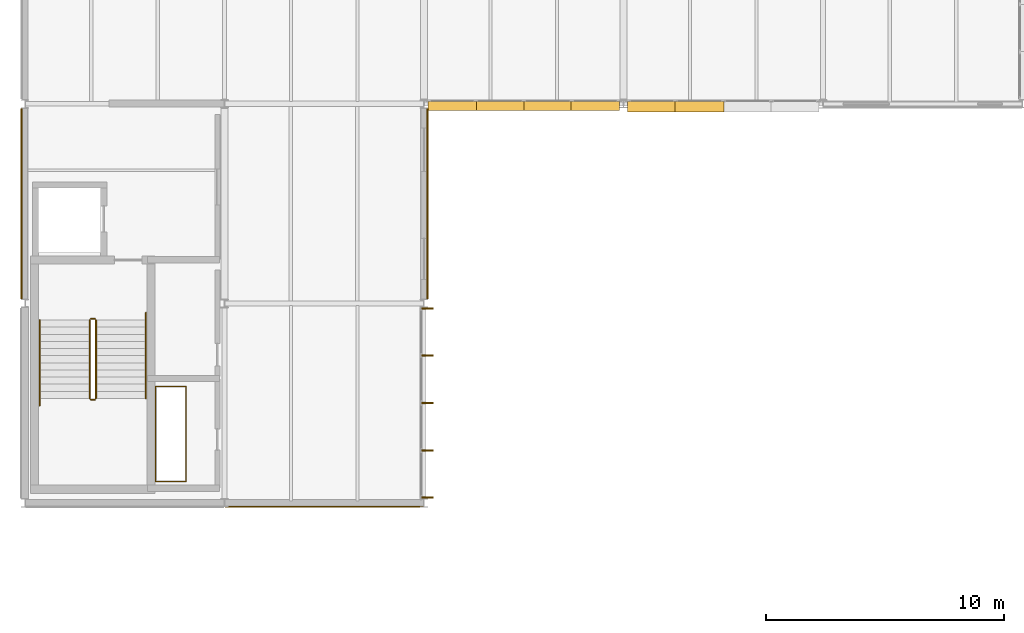
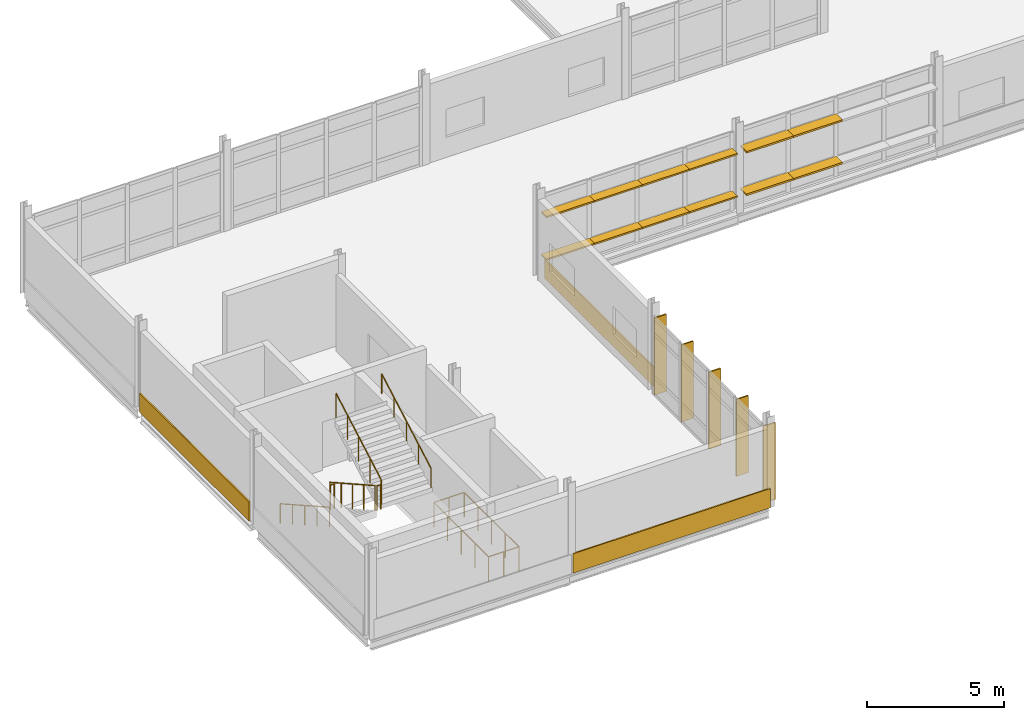
# One storey, part 120 of 131: 17 shading devices, 7 railings, 3 coverings.
"""IFC4 building model written with IfcOpenShell, lengths in metres."""

from ifc_helpers import new_model, si_unit, direction, frame, origin, origin_2d, place, context, subcontext, project, spatial, rectangle, circle, extrude, material, layer, layer_set, type_object, element, save


model = new_model("IFC4")

# Units and contexts
model_context = context("Model", 3, precision=1e-05, world=origin(), true_north=direction((0.0, 1.0)))
body_context = subcontext(model_context, "Body", "Model", "MODEL_VIEW")
ifc_project = project(units=[si_unit("LENGTHUNIT", "METRE"), si_unit("AREAUNIT", "SQUARE_METRE"), si_unit("VOLUMEUNIT", "CUBIC_METRE"), si_unit("PLANEANGLEUNIT", "RADIAN"), si_unit("MASSUNIT", "GRAM", prefix="KILO")], contexts=[model_context])

# Site, building, storey
site_placement = place(None, origin())
site = spatial("IfcSite", under=ifc_project, at=site_placement, CompositionType="ELEMENT")
building_placement = place(site_placement, origin())
building = spatial("IfcBuilding", under=site, at=building_placement, Name="Mersafa Astral City Hall", CompositionType="ELEMENT")
storey_placement = place(building_placement, frame((0.0, 0.0, 13.949951171875)))
storey = spatial("IfcBuildingStorey", under=building, at=storey_placement, Name="L03", CompositionType="ELEMENT", Elevation=13.949951171875)

# Coverings
ifc_material_1 = material(Name="Cairo Mokattam buff limestone cladding", Category="masonry")
ifc_layer = layer(ifc_material_1, 0.06005859375, Name="Cairo Mokattam buff limestone cladding")
ifc_layer_set = layer_set([ifc_layer], Name="Cairo Mokattam buff limestone cladding — ENV-COV-LIMESTONE-60")
covering_type = type_object("IfcCoveringType", Name="ENV-COV-LIMESTONE-60", PredefinedType="CLADDING", material=ifc_layer_set)
covering_1_placement = place(storey_placement, frame((8.260498046875, 88.195068359375, 0.0), z_axis=(0.0, 0.0, 1.0), x_axis=(0.0, -1.0, 0.0)))
element("IfcCovering", 1, at=covering_1_placement, inside=storey, type_object=covering_type, Name="L03 Cairo buff limestone rainscreen cladding 255", PredefinedType="CLADDING", context=body_context, shape_type="SweptSolid", body=[
    extrude(rectangle(XDim=7.998046875, YDim=0.06005859375, at=origin_2d()), origin(), (0.0, 0.0, 1.0), 0.860107421875),
])
covering_2_placement = place(storey_placement, frame((21.0, 75.43798828125, 0.0), z_axis=(0.0, 0.0, 1.0), x_axis=(1.0, 0.0, 0.0)))
element("IfcCovering", 2, at=covering_2_placement, inside=storey, type_object=covering_type, Name="L03 Cairo buff limestone rainscreen cladding 258", PredefinedType="CLADDING", context=body_context, shape_type="SweptSolid", body=[
    extrude(rectangle(XDim=8.323974609375, YDim=0.06005859375, at=origin_2d()), origin(), (0.0, 0.0, 1.0), 0.860107421875),
])
covering_3_placement = place(storey_placement, frame((25.3544921875, 88.195068359375, 0.0), z_axis=(0.0, 0.0, 1.0), x_axis=(0.0, 1.0, 0.0)))
element("IfcCovering", 3, at=covering_3_placement, inside=storey, type_object=covering_type, Name="L03 Cairo buff limestone rainscreen cladding 259", PredefinedType="CLADDING", context=body_context, shape_type="SweptSolid", body=[
    extrude(rectangle(XDim=7.998046875, YDim=0.06005859375, at=origin_2d()), origin(), (0.0, 0.0, 1.0), 0.860107421875),
])

# Shading devices
ifc_material_2 = material(Name="Anodised bronze aluminium solar fin", Category="aluminium")
shading_device_type_1 = type_object("IfcShadingDeviceType", Name="ENV-SHD-FIN-500A", PredefinedType="USERDEFINED", material=ifc_material_2)
for number, where, z_axis, x_axis, name in (
    (4, (25.344970703125, 75.822021484375, -0.014892578125), (0.0, 0.0, 1.0), (0.0, 1.0, 0.0), "L03 Vertical bronze solar fin 1102"),
    (5, (25.344970703125, 77.798583984375, -0.014892578125), (0.0, 0.0, 1.0), (0.0, 1.0, 0.0), "L03 Vertical bronze solar fin 1103"),
    (6, (25.344970703125, 79.804931640625, -0.014892578125), (0.0, 0.0, 1.0), (0.0, 1.0, 0.0), "L03 Vertical bronze solar fin 1104"),
    (7, (25.344970703125, 81.8115234375, -0.014892578125), (0.0, 0.0, 1.0), (0.0, 1.0, 0.0), "L03 Vertical bronze solar fin 1105"),
    (8, (25.344970703125, 83.7880859375, -0.014892578125), (0.0, 0.0, 1.0), (0.0, 1.0, 0.0), "L03 Vertical bronze solar fin 1106"),
):
    element("IfcShadingDevice", number, at=place(storey_placement, frame(where, z_axis=z_axis, x_axis=x_axis)), inside=storey, type_object=shading_device_type_1, Name=name, ObjectType="FIN", PredefinedType="USERDEFINED", context=body_context, shape_type="SweptSolid", body=[
        extrude(rectangle(XDim=0.06005859375, YDim=0.5, at=origin_2d()), origin(), (0.0, 0.0, 1.0), 3.43701171875),
    ])
ifc_material_3 = material(Name="Kiln-dried cedar timber brise-soleil blade", Category="wood")
shading_device_type_2 = type_object("IfcShadingDeviceType", Name="ENV-SHD-LOUVRE-380", PredefinedType="JALOUSIE", material=ifc_material_3)
shading_device_1_placement = place(storey_placement, frame((26.386474609375, 92.320068359375, 0.81494140625), z_axis=(0.0, 0.0, 1.0), x_axis=(1.0, 0.0, 0.0)))
element("IfcShadingDevice", 9, at=shading_device_1_placement, inside=storey, type_object=shading_device_type_2, Name="L03 Horizontal cedar brise-soleil louvre 1107", PredefinedType="JALOUSIE", context=body_context, shape_type="SweptSolid", body=[
    extrude(rectangle(XDim=2.029052734375, YDim=0.3798828125, at=origin_2d()), origin(), (0.0, 0.0, 1.0), 0.070068359375),
])
for number, where, z_axis, x_axis, name in (
    (10, (28.390380859375, 92.320068359375, 0.81494140625), (0.0, 0.0, 1.0), (1.0, 0.0, 0.0), "L03 Horizontal cedar brise-soleil louvre 1108"),
    (11, (30.409423828125, 92.320068359375, 0.81494140625), (0.0, 0.0, 1.0), (1.0, 0.0, 0.0), "L03 Horizontal cedar brise-soleil louvre 1109"),
):
    element("IfcShadingDevice", number, at=place(storey_placement, frame(where, z_axis=z_axis, x_axis=x_axis)), inside=storey, type_object=shading_device_type_2, Name=name, PredefinedType="JALOUSIE", context=body_context, shape_type="SweptSolid", body=[
        extrude(rectangle(XDim=2.05908203125, YDim=0.3798828125, at=origin_2d()), origin(), (0.0, 0.0, 1.0), 0.070068359375),
    ])
for number, where, z_axis, x_axis, name in (
    (12, (32.41357421875, 92.320068359375, 0.81494140625), (0.0, 0.0, 1.0), (1.0, 0.0, 0.0), "L03 Horizontal cedar brise-soleil louvre 1110"),
    (13, (26.386474609375, 92.320068359375, 2.71484375), (0.0, 0.0, 1.0), (1.0, 0.0, 0.0), "L03 Horizontal cedar brise-soleil louvre 1111"),
):
    element("IfcShadingDevice", number, at=place(storey_placement, frame(where, z_axis=z_axis, x_axis=x_axis)), inside=storey, type_object=shading_device_type_2, Name=name, PredefinedType="JALOUSIE", context=body_context, shape_type="SweptSolid", body=[
        extrude(rectangle(XDim=2.029052734375, YDim=0.3798828125, at=origin_2d()), origin(), (0.0, 0.0, 1.0), 0.070068359375),
    ])
for number, where, z_axis, x_axis, name in (
    (14, (28.390380859375, 92.320068359375, 2.71484375), (0.0, 0.0, 1.0), (1.0, 0.0, 0.0), "L03 Horizontal cedar brise-soleil louvre 1112"),
    (15, (30.409423828125, 92.320068359375, 2.71484375), (0.0, 0.0, 1.0), (1.0, 0.0, 0.0), "L03 Horizontal cedar brise-soleil louvre 1113"),
):
    element("IfcShadingDevice", number, at=place(storey_placement, frame(where, z_axis=z_axis, x_axis=x_axis)), inside=storey, type_object=shading_device_type_2, Name=name, PredefinedType="JALOUSIE", context=body_context, shape_type="SweptSolid", body=[
        extrude(rectangle(XDim=2.05908203125, YDim=0.3798828125, at=origin_2d()), origin(), (0.0, 0.0, 1.0), 0.070068359375),
    ])
shading_device_2_placement = place(storey_placement, frame((32.41357421875, 92.320068359375, 2.71484375), z_axis=(0.0, 0.0, 1.0), x_axis=(1.0, 0.0, 0.0)))
element("IfcShadingDevice", 16, at=shading_device_2_placement, inside=storey, type_object=shading_device_type_2, Name="L03 Horizontal cedar brise-soleil louvre 1114", PredefinedType="JALOUSIE", context=body_context, shape_type="SweptSolid", body=[
    extrude(rectangle(XDim=2.029052734375, YDim=0.3798828125, at=origin_2d()), origin(), (0.0, 0.0, 1.0), 0.070068359375),
])
shading_device_type_3 = type_object("IfcShadingDeviceType", Name="ENV-SHD-LOUVRE-450", PredefinedType="JALOUSIE", material=ifc_material_3)
shading_device_3_placement = place(storey_placement, frame((34.78662109375, 92.284912109375, 0.81005859375), z_axis=(0.0, 0.0, 1.0), x_axis=(1.0, 0.0, 0.0)))
element("IfcShadingDevice", 17, at=shading_device_3_placement, inside=storey, type_object=shading_device_type_3, Name="L03 Horizontal cedar brise-soleil louvre 1115", PredefinedType="JALOUSIE", context=body_context, shape_type="SweptSolid", body=[
    extrude(rectangle(XDim=2.029052734375, YDim=0.449951171875, at=origin_2d()), origin(), (0.0, 0.0, 1.0), 0.080078125),
])
shading_device_4_placement = place(storey_placement, frame((36.79052734375, 92.284912109375, 0.81005859375), z_axis=(0.0, 0.0, 1.0), x_axis=(1.0, 0.0, 0.0)))
element("IfcShadingDevice", 18, at=shading_device_4_placement, inside=storey, type_object=shading_device_type_3, Name="L03 Horizontal cedar brise-soleil louvre 1116", PredefinedType="JALOUSIE", context=body_context, shape_type="SweptSolid", body=[
    extrude(rectangle(XDim=2.05908203125, YDim=0.449951171875, at=origin_2d()), origin(), (0.0, 0.0, 1.0), 0.080078125),
])
shading_device_5_placement = place(storey_placement, frame((34.78662109375, 92.284912109375, 2.7099609375), z_axis=(0.0, 0.0, 1.0), x_axis=(1.0, 0.0, 0.0)))
element("IfcShadingDevice", 19, at=shading_device_5_placement, inside=storey, type_object=shading_device_type_3, Name="L03 Horizontal cedar brise-soleil louvre 1119", PredefinedType="JALOUSIE", context=body_context, shape_type="SweptSolid", body=[
    extrude(rectangle(XDim=2.029052734375, YDim=0.449951171875, at=origin_2d()), origin(), (0.0, 0.0, 1.0), 0.080078125),
])
shading_device_6_placement = place(storey_placement, frame((36.79052734375, 92.284912109375, 2.7099609375), z_axis=(0.0, 0.0, 1.0), x_axis=(1.0, 0.0, 0.0)))
element("IfcShadingDevice", 20, at=shading_device_6_placement, inside=storey, type_object=shading_device_type_3, Name="L03 Horizontal cedar brise-soleil louvre 1120", PredefinedType="JALOUSIE", context=body_context, shape_type="SweptSolid", body=[
    extrude(rectangle(XDim=2.05908203125, YDim=0.449951171875, at=origin_2d()), origin(), (0.0, 0.0, 1.0), 0.080078125),
])

# Railings
ifc_material_4 = material(Name="Painted architectural steel stair guard balustrade", Category="steel")
railing_type_1 = type_object("IfcRailingType", Name="GUARD-RAIL", PredefinedType="BALUSTRADE", material=ifc_material_4)
railing_1_placement = place(storey_placement, frame((11.1298828125, 83.300048828125, 0.168701171875)))
element("IfcRailing", 21, at=railing_1_placement, inside=storey, type_object=railing_type_1, Name="L03 ST6 stair guard 1", PredefinedType="BALUSTRADE", context=body_context, shape_type="SweptSolid", body=[
    extrude(circle(Radius=0.02392578125, at=origin_2d()), frame((0.0, 0.0, 1.09619140625), z_axis=(0.0, -0.871556594703, 0.490294913526), x_axis=(1.0, 0.0, 0.0)), (0.0, 0.0, 1.0), 3.786376953125),
    extrude(circle(Radius=0.02099609375, at=origin_2d()), origin(), (0.0, 0.0, 1.0), 1.072021484375),
    extrude(circle(Radius=0.02099609375, at=origin_2d()), frame((0.0, -0.824951171875, 0.464111328125)), (0.0, 0.0, 1.0), 1.072021484375),
    extrude(circle(Radius=0.02099609375, at=origin_2d()), frame((0.0, -1.64990234375, 0.92822265625)), (0.0, 0.0, 1.0), 1.072021484375),
    extrude(circle(Radius=0.02099609375, at=origin_2d()), frame((0.0, -2.47509765625, 1.392333984375)), (0.0, 0.0, 1.0), 1.072021484375),
    extrude(circle(Radius=0.02099609375, at=origin_2d()), frame((0.0, -3.300048828125, 1.8564453125)), (0.0, 0.0, 1.0), 1.072021484375),
])
railing_2_placement = place(storey_placement, frame((11.179931640625, 79.949951171875, 2.025146484375)))
element("IfcRailing", 22, at=railing_2_placement, inside=storey, type_object=railing_type_1, Name="L03 ST6 stair guard 2", PredefinedType="BALUSTRADE", context=body_context, shape_type="SweptSolid", body=[
    extrude(circle(Radius=0.02392578125, at=origin_2d()), frame((0.0, 0.0, 1.09619140625), z_axis=(1.0, 0.0, 0.0), x_axis=(0.0, 1.0, 0.0)), (0.0, 0.0, 1.0), 0.16015625),
    extrude(circle(Radius=0.02099609375, at=origin_2d()), origin(), (0.0, 0.0, 1.0), 1.072021484375),
    extrude(circle(Radius=0.02099609375, at=origin_2d()), frame((0.16015625, 0.0, 0.0)), (0.0, 0.0, 1.0), 1.072021484375),
])
railing_3_placement = place(storey_placement, frame((11.389892578125, 80.0, 2.19384765625)))
element("IfcRailing", 23, at=railing_3_placement, inside=storey, type_object=railing_type_1, Name="L03 ST6 stair guard 3", PredefinedType="BALUSTRADE", context=body_context, shape_type="SweptSolid", body=[
    extrude(circle(Radius=0.02392578125, at=origin_2d()), frame((0.0, 0.0, 1.09619140625), z_axis=(0.0, 0.871584147158, 0.490245932592), x_axis=(-1.0, 0.0, 0.0)), (0.0, 0.0, 1.0), 3.786376953125),
    extrude(circle(Radius=0.02099609375, at=origin_2d()), origin(), (0.0, 0.0, 1.0), 1.072021484375),
    extrude(circle(Radius=0.02099609375, at=origin_2d()), frame((0.0, 0.824951171875, 0.464111328125)), (0.0, 0.0, 1.0), 1.072021484375),
    extrude(circle(Radius=0.02099609375, at=origin_2d()), frame((0.0, 1.64990234375, 0.92822265625)), (0.0, 0.0, 1.0), 1.072021484375),
    extrude(circle(Radius=0.02099609375, at=origin_2d()), frame((0.0, 2.47509765625, 1.39208984375)), (0.0, 0.0, 1.0), 1.072021484375),
    extrude(circle(Radius=0.02099609375, at=origin_2d()), frame((0.0, 3.300048828125, 1.856201171875)), (0.0, 0.0, 1.0), 1.072021484375),
])
railing_4_placement = place(storey_placement, frame((11.179931640625, 83.35009765625, 0.0)))
element("IfcRailing", 24, at=railing_4_placement, inside=storey, type_object=railing_type_1, Name="L03 ST6 stair guard 4", PredefinedType="BALUSTRADE", context=body_context, shape_type="SweptSolid", body=[
    extrude(circle(Radius=0.02392578125, at=origin_2d()), frame((0.0, 0.0, 1.09619140625), z_axis=(1.0, 0.0, 0.0), x_axis=(0.0, 1.0, 0.0)), (0.0, 0.0, 1.0), 0.16015625),
    extrude(circle(Radius=0.02099609375, at=origin_2d()), origin(), (0.0, 0.0, 1.0), 1.072021484375),
    extrude(circle(Radius=0.02099609375, at=origin_2d()), frame((0.16015625, 0.0, 0.0)), (0.0, 0.0, 1.0), 1.072021484375),
])
railing_5_placement = place(storey_placement, frame((13.89990234375, 76.5, 0.0)))
element("IfcRailing", 25, at=railing_5_placement, inside=storey, type_object=railing_type_1, Name="L03 K6 MEP Riser Shaft Guard", PredefinedType="BALUSTRADE", context=body_context, shape_type="SweptSolid", body=[
    extrude(circle(Radius=0.02392578125, at=origin_2d()), frame((0.0, 0.0, 1.09619140625), z_axis=(1.0, 0.0, 0.0), x_axis=(0.0, 1.0, 0.0)), (0.0, 0.0, 1.0), 1.280029296875),
    extrude(circle(Radius=0.02392578125, at=origin_2d()), frame((1.280029296875, 0.0, 1.09619140625), z_axis=(0.0, 1.0, 0.0), x_axis=(-1.0, 0.0, 0.0)), (0.0, 0.0, 1.0), 4.0),
    extrude(circle(Radius=0.02392578125, at=origin_2d()), frame((1.280029296875, 4.0, 1.09619140625), z_axis=(-1.0, 0.0, 0.0), x_axis=(0.0, -1.0, 0.0)), (0.0, 0.0, 1.0), 1.280029296875),
    extrude(circle(Radius=0.02392578125, at=origin_2d()), frame((0.0, 4.0, 1.09619140625), z_axis=(0.0, -1.0, 0.0), x_axis=(1.0, 0.0, 0.0)), (0.0, 0.0, 1.0), 4.0),
    extrude(circle(Radius=0.02099609375, at=origin_2d()), origin(), (0.0, 0.0, 1.0), 1.072021484375),
    extrude(circle(Radius=0.02099609375, at=origin_2d()), frame((0.64013671875, 0.0, 0.0)), (0.0, 0.0, 1.0), 1.072021484375),
    extrude(circle(Radius=0.02099609375, at=origin_2d()), frame((1.280029296875, 0.0, 0.0)), (0.0, 0.0, 1.0), 1.072021484375),
    extrude(circle(Radius=0.02099609375, at=origin_2d()), frame((1.280029296875, 1.0, 0.0)), (0.0, 0.0, 1.0), 1.072021484375),
    extrude(circle(Radius=0.02099609375, at=origin_2d()), frame((1.280029296875, 2.0, 0.0)), (0.0, 0.0, 1.0), 1.072021484375),
    extrude(circle(Radius=0.02099609375, at=origin_2d()), frame((1.280029296875, 3.0, 0.0)), (0.0, 0.0, 1.0), 1.072021484375),
    extrude(circle(Radius=0.02099609375, at=origin_2d()), frame((1.280029296875, 4.0, 0.0)), (0.0, 0.0, 1.0), 1.072021484375),
    extrude(circle(Radius=0.02099609375, at=origin_2d()), frame((0.64013671875, 4.0, 0.0)), (0.0, 0.0, 1.0), 1.072021484375),
    extrude(circle(Radius=0.02099609375, at=origin_2d()), frame((0.0, 4.0, 0.0)), (0.0, 0.0, 1.0), 1.072021484375),
    extrude(circle(Radius=0.02099609375, at=origin_2d()), frame((0.0, 3.0, 0.0)), (0.0, 0.0, 1.0), 1.072021484375),
    extrude(circle(Radius=0.02099609375, at=origin_2d()), frame((0.0, 2.0, 0.0)), (0.0, 0.0, 1.0), 1.072021484375),
    extrude(circle(Radius=0.02099609375, at=origin_2d()), frame((0.0, 1.0, 0.0)), (0.0, 0.0, 1.0), 1.072021484375),
])
ifc_material_5 = material(Name="Brushed stainless steel tubular handrail", Category="steel")
railing_type_2 = type_object("IfcRailingType", Name="HANDRAIL", PredefinedType="HANDRAIL", material=ifc_material_5)
railing_6_placement = place(storey_placement, frame((9.030029296875, 83.300048828125, 0.168701171875)))
element("IfcRailing", 26, at=railing_6_placement, inside=storey, type_object=railing_type_2, Name="L03 ST6 stair handrail 1", PredefinedType="HANDRAIL", context=body_context, shape_type="SweptSolid", body=[
    extrude(circle(Radius=0.02392578125, at=origin_2d()), frame((0.0, 0.0, 0.8759765625), z_axis=(0.0, -0.871262930089, 0.49081657129), x_axis=(1.0, 0.0, 0.0)), (0.0, 0.0, 1.0), 4.132080078125),
    extrude(circle(Radius=0.02099609375, at=origin_2d()), origin(), (0.0, 0.0, 1.0), 0.851806640625),
    extrude(circle(Radius=0.02099609375, at=origin_2d()), frame((0.0, -0.89990234375, 0.507080078125)), (0.0, 0.0, 1.0), 0.851806640625),
    extrude(circle(Radius=0.02099609375, at=origin_2d()), frame((0.0, -1.800048828125, 1.01416015625)), (0.0, 0.0, 1.0), 0.851806640625),
    extrude(circle(Radius=0.02099609375, at=origin_2d()), frame((0.0, -2.7001953125, 1.52099609375)), (0.0, 0.0, 1.0), 0.851806640625),
    extrude(circle(Radius=0.02099609375, at=origin_2d()), frame((0.0, -3.60009765625, 2.028076171875)), (0.0, 0.0, 1.0), 0.851806640625),
])
railing_7_placement = place(storey_placement, frame((13.489990234375, 80.0, 2.19384765625)))
element("IfcRailing", 27, at=railing_7_placement, inside=storey, type_object=railing_type_2, Name="L03 ST6 stair handrail 2", PredefinedType="HANDRAIL", context=body_context, shape_type="SweptSolid", body=[
    extrude(circle(Radius=0.02392578125, at=origin_2d()), frame((0.0, 0.0, 0.8759765625), z_axis=(0.0, 0.871288196072, 0.4907717182), x_axis=(-1.0, 0.0, 0.0)), (0.0, 0.0, 1.0), 4.1318359375),
    extrude(circle(Radius=0.02099609375, at=origin_2d()), origin(), (0.0, 0.0, 1.0), 0.851806640625),
    extrude(circle(Radius=0.02099609375, at=origin_2d()), frame((0.0, 0.89990234375, 0.5068359375)), (0.0, 0.0, 1.0), 0.851806640625),
    extrude(circle(Radius=0.02099609375, at=origin_2d()), frame((0.0, 1.800048828125, 1.013916015625)), (0.0, 0.0, 1.0), 0.851806640625),
    extrude(circle(Radius=0.02099609375, at=origin_2d()), frame((0.0, 2.7001953125, 1.52099609375)), (0.0, 0.0, 1.0), 0.851806640625),
    extrude(circle(Radius=0.02099609375, at=origin_2d()), frame((0.0, 3.60009765625, 2.02783203125)), (0.0, 0.0, 1.0), 0.851806640625),
])

save(model, "model.ifc")
